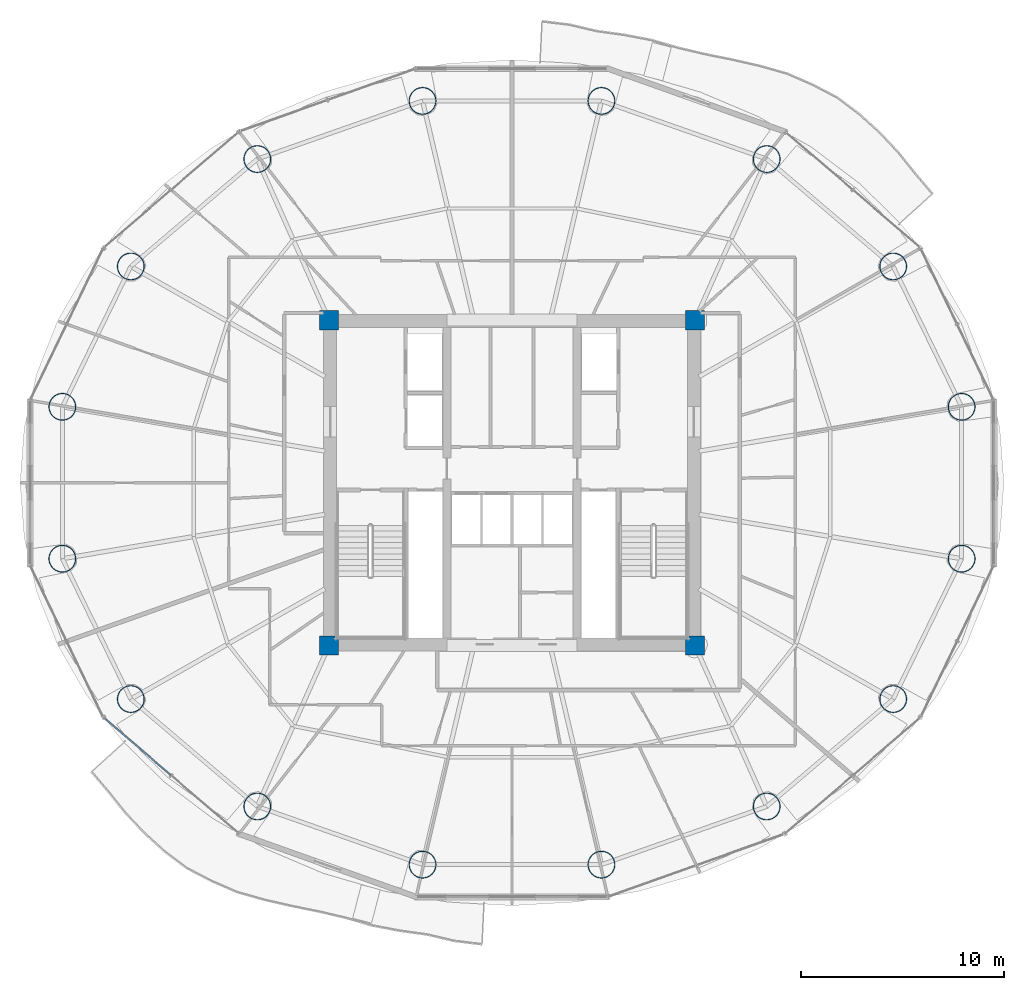
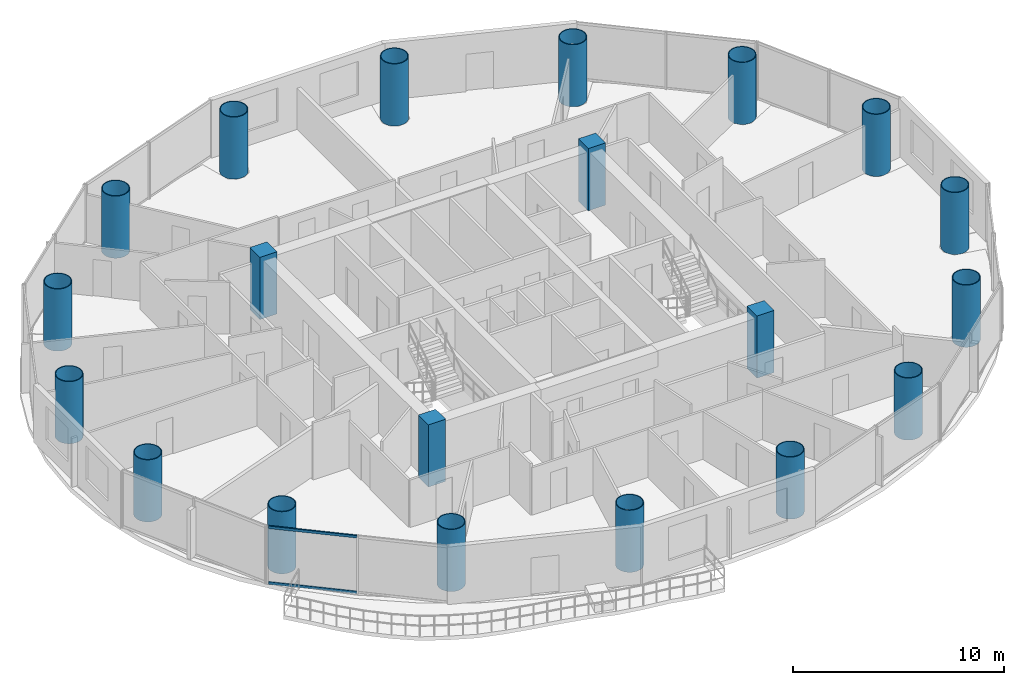
# One storey, part 1 of 27: 20 columns, 2 members, 1 element without a shape of its own.
"""IFC4 building model written with IfcOpenShell, lengths in metres."""

from ifc_helpers import new_model, si_unit, direction, frame, origin, origin_2d, place, context, subcontext, project, spatial, rectangle, hollow_rectangle, hollow_circle, extrude, source, transform, mapped, material, material_profile, profile_set, type_object, element, aggregate, save


model = new_model("IFC4")

# Units and contexts
model_context = context("Model", 3, precision=1e-05, world=origin(), true_north=direction((-0.2419218956, 0.970295726276)))
body_context = subcontext(model_context, "Body", "Model", "MODEL_VIEW")
ifc_project = project(units=[si_unit("LENGTHUNIT", "METRE"), si_unit("AREAUNIT", "SQUARE_METRE"), si_unit("VOLUMEUNIT", "CUBIC_METRE"), si_unit("PLANEANGLEUNIT", "RADIAN"), si_unit("MASSUNIT", "GRAM", prefix="KILO")], contexts=[model_context])

# Site, building, storey
site_placement = place(None, origin())
site = spatial("IfcSite", under=ifc_project, at=site_placement, CompositionType="ELEMENT")
building_placement = place(site_placement, origin())
building = spatial("IfcBuilding", under=site, at=building_placement, Name="Cobrevalo Terracotta Tower", CompositionType="ELEMENT")
storey_placement = place(building_placement, frame((0.0, 0.0, 153.39990234375)))
storey = spatial("IfcBuildingStorey", under=building, at=storey_placement, Name="L40", CompositionType="ELEMENT", Elevation=153.39990234375)

# Columns
ifc_material_1 = material(Name="Steel S355", Category="steel")
ifc_material_profile_1 = material_profile(ifc_material_1, hollow_circle(Radius=0.675048828125, WallThickness=0.0419921875, at=origin_2d()), Name="CHS 1350x42")
ifc_profile_set_1 = profile_set([ifc_material_profile_1], Name="Steel S355")
column_type_1 = type_object("IfcColumnType", Name="Structural Column CHS 1350x42 (Steel S355)", PredefinedType="COLUMN", material=ifc_profile_set_1)
for number, where, z_axis, x_axis, name in (
    (1, (60.11669921875, 30.535888671875, 0.0), (0.0, 0.0, 1.0), (1.0, 0.0, 0.0), "L40 composite megacolumn MC01"),
    (2, (56.749755859375, 37.439208984375, 0.0), (0.0, 0.0, 1.0), (1.0, 0.0, 0.0), "L40 composite megacolumn MC02"),
    (3, (50.528076171875, 42.72265625, 0.0), (0.0, 0.0, 1.0), (1.0, 0.0, 0.0), "L40 composite megacolumn MC03"),
    (4, (42.399169921875, 45.58203125, 0.0), (0.0, 0.0, 1.0), (1.0, 0.0, 0.0), "L40 composite megacolumn MC04"),
    (5, (33.600830078125, 45.58203125, 0.0), (0.0, 0.0, 1.0), (1.0, 0.0, 0.0), "L40 composite megacolumn MC05"),
    (6, (25.471923828125, 42.72265625, 0.0), (0.0, 0.0, 1.0), (1.0, 0.0, 0.0), "L40 composite megacolumn MC06"),
    (7, (19.250244140625, 37.439208984375, 0.0), (0.0, 0.0, 1.0), (1.0, 0.0, 0.0), "L40 composite megacolumn MC07"),
    (8, (15.88330078125, 30.535888671875, 0.0), (0.0, 0.0, 1.0), (1.0, 0.0, 0.0), "L40 composite megacolumn MC08"),
    (9, (15.88330078125, 23.06396484375, 0.0), (0.0, 0.0, 1.0), (1.0, 0.0, 0.0), "L40 composite megacolumn MC09"),
    (10, (19.250244140625, 16.160888671875, 0.0), (0.0, 0.0, 1.0), (1.0, 0.0, 0.0), "L40 composite megacolumn MC10"),
    (11, (25.471923828125, 10.87744140625, 0.0), (0.0, 0.0, 1.0), (1.0, 0.0, 0.0), "L40 composite megacolumn MC11"),
    (12, (33.600830078125, 8.01806640625, 0.0), (0.0, 0.0, 1.0), (1.0, 0.0, 0.0), "L40 composite megacolumn MC12"),
    (13, (42.399169921875, 8.01806640625, 0.0), (0.0, 0.0, 1.0), (1.0, 0.0, 0.0), "L40 composite megacolumn MC13"),
    (14, (50.528076171875, 10.87744140625, 0.0), (0.0, 0.0, 1.0), (1.0, 0.0, 0.0), "L40 composite megacolumn MC14"),
    (15, (56.749755859375, 16.160888671875, 0.0), (0.0, 0.0, 1.0), (1.0, 0.0, 0.0), "L40 composite megacolumn MC15"),
    (16, (60.11669921875, 23.06396484375, 0.0), (0.0, 0.0, 1.0), (1.0, 0.0, 0.0), "L40 composite megacolumn MC16"),
):
    element("IfcColumn", number, at=place(storey_placement, frame(where, z_axis=z_axis, x_axis=x_axis)), inside=storey, type_object=column_type_1, Name=name, PredefinedType="COLUMN", context=body_context, shape_type="SweptSolid", body=[
        extrude(hollow_circle(Radius=0.675048828125, WallThickness=0.0419921875, at=origin_2d()), origin(), (0.0, 0.0, 1.0), 3.60009765625),
    ])
ifc_material_2 = material(Name="Concrete C55", Category="concrete")
ifc_material_profile_2 = material_profile(ifc_material_2, rectangle(XDim=0.949951171875, YDim=0.949951171875, at=origin_2d()), Name="RC COL 950x950")
ifc_profile_set_2 = profile_set([ifc_material_profile_2], Name="Concrete C55")
column_type_2 = type_object("IfcColumnType", Name="Structural Column RC COL 950x950 (Concrete C55)", PredefinedType="COLUMN", material=ifc_profile_set_2)
for number, where, z_axis, x_axis, name in (
    (17, (29.0, 18.800048828125, 0.0), (0.0, 0.0, 1.0), (1.0, 0.0, 0.0), "L40 core corner column CC1"),
    (18, (47.0, 18.800048828125, 0.0), (0.0, 0.0, 1.0), (1.0, 0.0, 0.0), "L40 core corner column CC2"),
    (19, (47.0, 34.800048828125, 0.0), (0.0, 0.0, 1.0), (1.0, 0.0, 0.0), "L40 core corner column CC3"),
    (20, (29.0, 34.800048828125, 0.0), (0.0, 0.0, 1.0), (1.0, 0.0, 0.0), "L40 core corner column CC4"),
):
    element("IfcColumn", number, at=place(storey_placement, frame(where, z_axis=z_axis, x_axis=x_axis)), inside=storey, type_object=column_type_2, Name=name, PredefinedType="COLUMN", context=body_context, shape_type="SweptSolid", body=[
        extrude(rectangle(XDim=0.949951171875, YDim=0.949951171875, at=origin_2d()), origin(), (0.0, 0.0, 1.0), 3.60009765625),
    ])

# Curtain wall, members
ifc_material_3 = material(Name="Anodized aluminium", Category="aluminium")
curtain_wall_type = type_object("IfcCurtainWallType", Name="Mid-tower high-wind unitised curtain wall CW-U2", PredefinedType="NOTDEFINED", material=ifc_material_3)
curtain_wall_placement = place(storey_placement, origin())
curtain_wall = element("IfcCurtainWall", 21, at=curtain_wall_placement, inside=storey, type_object=curtain_wall_type, Name="L40 curtain wall CW-L40-S10", PredefinedType="NOTDEFINED")
ifc_material_profile_3 = material_profile(ifc_material_3, hollow_rectangle(XDim=0.074951171875, YDim=0.14990234375, WallThickness=0.00439453125, at=origin_2d()), Name="CWT 75x150")
ifc_profile_set_3 = profile_set([ifc_material_profile_3], Name="Anodized aluminium")
member_type = type_object("IfcMemberType", Name="Tower unitised aluminium transom 75x150", PredefinedType="USERDEFINED", material=ifc_profile_set_3)
shared_shape = source(origin(), body_context, "Body", "SweptSolid", [
    extrude(hollow_rectangle(XDim=0.074951171875, YDim=0.14990234375, WallThickness=0.00439453125, at=origin_2d()), origin(), (0.0, 0.0, 1.0), 4.276123046875),
])
member_1_placement = place(storey_placement, frame((17.964111328125, 15.208740234375, 0.050048828125), z_axis=(0.758417719247, -0.651768795764, 0.0), x_axis=(0.651768795764, 0.758417719247, 0.0)))
member_1 = element("IfcMember", 22, at=member_1_placement, type_object=member_type, Name="CW-L40-S10 transom B01-T1", ObjectType="TRANSOM", PredefinedType="USERDEFINED", context=body_context, shape_type="MappedRepresentation", body=[
    mapped(shared_shape, transform((0.0, 0.0, 0.0), scale=1.0)),
])
member_2_placement = place(storey_placement, frame((17.964111328125, 15.208740234375, 3.280029296875), z_axis=(0.758417719247, -0.651768795764, 0.0), x_axis=(0.651768795764, 0.758417719247, 0.0)))
member_2 = element("IfcMember", 23, at=member_2_placement, type_object=member_type, Name="CW-L40-S10 transom B01-T2", ObjectType="TRANSOM", PredefinedType="USERDEFINED", context=body_context, shape_type="MappedRepresentation", body=[
    mapped(shared_shape, transform((0.0, 0.0, 0.0), scale=1.0)),
])
aggregate(curtain_wall, [member_1, member_2])

save(model, "model.ifc")
